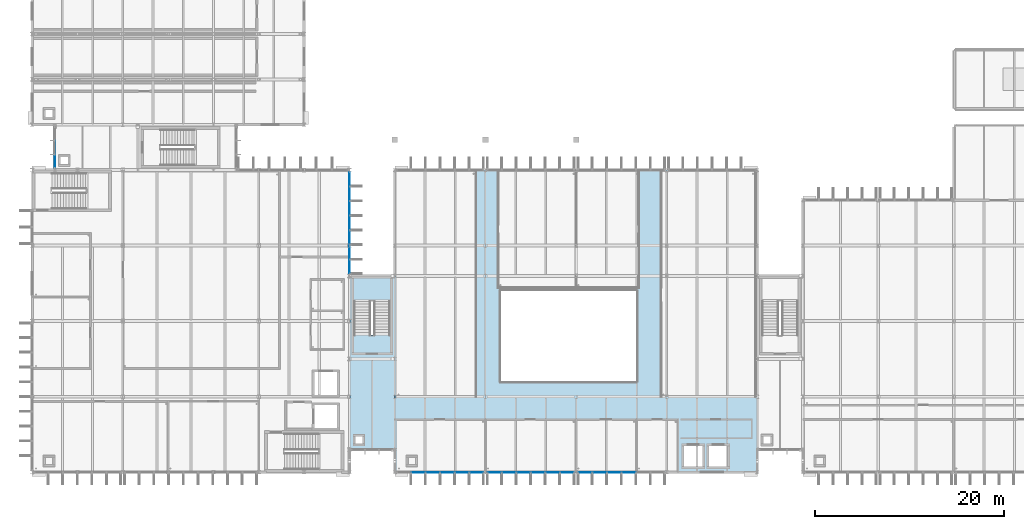
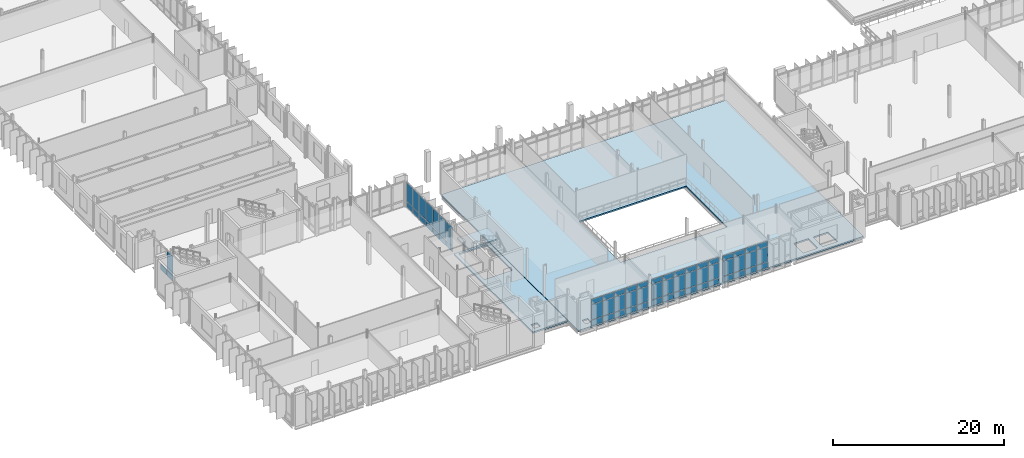
# One storey, part 50 of 110: 62 plates, 3 slabs, 6 elements without a shape of their own.
"""IFC4 building model written with IfcOpenShell, lengths in metres."""

import ifcopenshell
import ifcopenshell.guid

model = None  # the IFC model being written
_history = None  # IfcOwnerHistory: only IFC2X3 demands one
_inside = {}  # id of a spatial element -> (the spatial element, [elements in it])
_under = {}  # id of a project, library or spatial element -> (it, [spatial elements below it])
_declared = {}  # id of a project -> (the project, [libraries it declares])
_typed = {}  # id of a type object -> (the type object, [elements of that type])
_made_of = {}  # id of a material, layer set ... -> (it, [elements and type objects made of it])


def new_model(schema):
    """Start an empty IFC model of exactly this schema.

    Asked for "IFC4X3", IfcOpenShell would pick the latest addendum, in which some entities
    have other attributes; the version numbers below select the first issue.
    IFC2X3 requires an IfcOwnerHistory on every rooted entity: one is made here for all.
    """
    global model, _history
    if schema == "IFC4X3":
        model = ifcopenshell.file(schema_version=(4, 3, 0, 0))
    else:
        model = ifcopenshell.file(schema=schema)
    _inside.clear()
    _under.clear()
    _declared.clear()
    _typed.clear()
    _made_of.clear()
    _history = None
    if model.schema == "IFC2X3":
        org = make("IfcOrganization", Name="unknown")
        user = make(
            "IfcPersonAndOrganization",
            ThePerson=make("IfcPerson", FamilyName="unknown"),
            TheOrganization=org,
        )
        app = make(
            "IfcApplication",
            ApplicationDeveloper=org,
            Version="unknown",
            ApplicationFullName="unknown",
            ApplicationIdentifier="unknown",
        )
        _history = make(
            "IfcOwnerHistory",
            OwningUser=user,
            OwningApplication=app,
            ChangeAction="ADDED",
            CreationDate=0,
        )
    return model


def make(cls, **values):
    """One entity of the class cls with the attributes given. An attribute that is None is left unset."""
    return model.create_entity(
        cls, **{name: value for name, value in values.items() if value is not None}
    )


def rooted(cls, **values):
    """An entity with a GlobalId (a new one), such as an element, a storey or a relation."""
    return make(cls, GlobalId=ifcopenshell.guid.new(), OwnerHistory=_history, **values)


def si_unit(unit_type, name, prefix=None):
    """IfcSIUnit, for example si_unit("LENGTHUNIT", "METRE", prefix="MILLI")."""
    return make("IfcSIUnit", UnitType=unit_type, Prefix=prefix, Name=name)


def assignment(units):
    """IfcUnitAssignment: the units of a project."""
    return None if units is None else make("IfcUnitAssignment", Units=units)


def point(xyz):
    """IfcCartesianPoint."""
    return None if xyz is None else make("IfcCartesianPoint", Coordinates=xyz)


def direction(xyz):
    """IfcDirection."""
    return None if xyz is None else make("IfcDirection", DirectionRatios=xyz)


def frame(location, z_axis=None, x_axis=None):
    """IfcAxis2Placement3D, a coordinate frame: its origin and axes. An axis left out is left unset."""
    return make(
        "IfcAxis2Placement3D",
        Location=point(location),
        Axis=direction(z_axis),
        RefDirection=direction(x_axis),
    )


def frame_2d(location, x_axis=None):
    """IfcAxis2Placement2D, a coordinate frame in the plane: its origin and x axis."""
    return make(
        "IfcAxis2Placement2D", Location=point(location), RefDirection=direction(x_axis)
    )


def origin():
    """The frame at (0, 0, 0) with its axes left unset."""
    return frame((0.0, 0.0, 0.0))


def origin_2d():
    """The frame at (0, 0) in the plane with its x axis left unset."""
    return frame_2d((0.0, 0.0))


def place(relative_to, where):
    """IfcLocalPlacement: puts the frame where relative to a parent placement (None: the world)."""
    return make(
        "IfcLocalPlacement", PlacementRelTo=relative_to, RelativePlacement=where
    )


def context(
    kind, dimensions, precision=None, world=None, true_north=None, identifier=None
):
    """IfcGeometricRepresentationContext, for example the 3D "Model" context."""
    return make(
        "IfcGeometricRepresentationContext",
        ContextIdentifier=identifier,
        ContextType=kind,
        CoordinateSpaceDimension=dimensions,
        Precision=precision,
        WorldCoordinateSystem=world,
        TrueNorth=true_north,
    )


def subcontext(parent, identifier, kind, view, scale=None):
    """IfcGeometricRepresentationSubContext, for example "Body" below "Model"."""
    return make(
        "IfcGeometricRepresentationSubContext",
        ContextIdentifier=identifier,
        ContextType=kind,
        ParentContext=parent,
        TargetScale=scale,
        TargetView=view,
    )


def project(units=None, contexts=None):
    """IfcProject with its units and contexts."""
    return rooted(
        "IfcProject",
        Name="project",
        RepresentationContexts=contexts,
        UnitsInContext=assignment(units),
    )


def spatial(cls, under=None, at=None, **own):
    """A site, building, storey or space (cls), placed at a placement, below another one or the project."""
    s = rooted(cls, ObjectPlacement=at, **own)
    if under is not None:
        _under.setdefault(under.id(), (under, []))[1].append(s)
    return s


def polyline(points):
    """IfcPolyline through the points."""
    return make("IfcPolyline", Points=[point(p) for p in points])


def profile(cls, at=None, kind="AREA", **sizes):
    """A parametric profile (cls). Its sizes go by their IFC names, for example OverallWidth=200.0."""
    return make(cls, ProfileType=kind, Position=at, **sizes)


def rectangle(**sizes):
    """IfcRectangleProfileDef."""
    return profile("IfcRectangleProfileDef", **sizes)


def outline(outer, holes=None, kind="AREA"):
    """IfcArbitraryClosedProfileDef: a profile drawn as a closed curve; with holes, ...WithVoids."""
    if holes is None:
        return make("IfcArbitraryClosedProfileDef", ProfileType=kind, OuterCurve=outer)
    return make(
        "IfcArbitraryProfileDefWithVoids",
        ProfileType=kind,
        OuterCurve=outer,
        InnerCurves=holes,
    )


def extrude(swept, where, along, depth):
    """IfcExtrudedAreaSolid: the profile swept, set in the frame where, extruded along a direction by depth."""
    return make(
        "IfcExtrudedAreaSolid",
        SweptArea=swept,
        Position=where,
        ExtrudedDirection=direction(along),
        Depth=depth,
    )


def shape(context_of_items, identifier, shape_type, items):
    """IfcShapeRepresentation: the items that make up one representation, for example the "Body"."""
    return make(
        "IfcShapeRepresentation",
        ContextOfItems=context_of_items,
        RepresentationIdentifier=identifier,
        RepresentationType=shape_type,
        Items=items,
    )


def material(Name=None, Category=None):
    """IfcMaterial."""
    return make("IfcMaterial", Name=Name, Category=Category)


def layer(
    of_material, thickness, ventilated=None, Name=None, Category=None, Priority=None
):
    """IfcMaterialLayer: one layer of a wall or slab, of a material (None: an air gap)."""
    return make(
        "IfcMaterialLayer",
        Material=of_material,
        LayerThickness=thickness,
        IsVentilated=ventilated,
        Name=Name,
        Category=Category,
        Priority=Priority,
    )


def layer_set(layers, Name=None):
    """IfcMaterialLayerSet."""
    return make("IfcMaterialLayerSet", MaterialLayers=layers, LayerSetName=Name)


def made_of(thing, what):
    """Note that an element or type object is made of a material, layer set ...; save() writes the relation."""
    if what is not None:
        _made_of.setdefault(what.id(), (what, []))[1].append(thing)
    return thing


def type_object(cls, material=None, **own):
    """A type object (cls), such as IfcWallType, which elements share."""
    return made_of(rooted(cls, **own), material)


def element(
    cls,
    number,
    at=None,
    inside=None,
    cuts=None,
    type_object=None,
    material=None,
    context=None,
    identifier="Body",
    shape_type=None,
    held_by="IfcProductDefinitionShape",
    body=None,
    shapes=None,
    **own,
):
    """One element of the class cls, such as IfcWall. Its Tag is "e" and its number.

    at: its placement. inside: the storey or other place that contains it. cuts: it is an
    opening in that element (IfcRelVoidsElement). A single representation is given by context,
    identifier, shape_type and body (its items); several are given by shapes. held_by: the class
    of the entity that holds the representations. save() writes the other relations.
    """
    e = rooted(cls, Tag="e%d" % number, ObjectPlacement=at, **own)
    if body is not None:
        shapes = [shape(context, identifier, shape_type, body)]
    if shapes is not None:
        e.Representation = make(held_by, Representations=shapes)
    if inside is not None:
        _inside.setdefault(inside.id(), (inside, []))[1].append(e)
    if cuts is not None:
        rooted(
            "IfcRelVoidsElement", RelatingBuildingElement=cuts, RelatedOpeningElement=e
        )
    if type_object is not None:
        _typed.setdefault(type_object.id(), (type_object, []))[1].append(e)
    return made_of(e, material)


def aggregate(whole, parts):
    """IfcRelAggregates: a whole, such as a stair, and the parts it consists of."""
    return rooted("IfcRelAggregates", RelatingObject=whole, RelatedObjects=parts)


def save(model, path):
    """Write the relations noted so far, then the file.

    IfcRelAggregates (storeys below a building ...), IfcRelContainedInSpatialStructure (elements
    in a storey), IfcRelDefinesByType, IfcRelAssociatesMaterial and IfcRelDeclares: one each for
    every whole, place, type object, material and project.
    """
    for whole, parts in _under.values():
        aggregate(whole, parts)
    for where, things in _inside.values():
        rooted(
            "IfcRelContainedInSpatialStructure",
            RelatedElements=things,
            RelatingStructure=where,
        )
    for kind, things in _typed.values():
        rooted("IfcRelDefinesByType", RelatedObjects=things, RelatingType=kind)
    for what, things in _made_of.values():
        rooted("IfcRelAssociatesMaterial", RelatedObjects=things, RelatingMaterial=what)
    for by, libraries in _declared.values():
        rooted("IfcRelDeclares", RelatingContext=by, RelatedDefinitions=libraries)
    model.write(path)


model = new_model("IFC4")

# Units and contexts
model_context = context("Model", 3, precision=1e-05, world=origin(), true_north=direction((0.0, 1.0)))
body_context = subcontext(model_context, "Body", "Model", "MODEL_VIEW")
ifc_project = project(units=[si_unit("LENGTHUNIT", "METRE"), si_unit("AREAUNIT", "SQUARE_METRE"), si_unit("VOLUMEUNIT", "CUBIC_METRE"), si_unit("PLANEANGLEUNIT", "RADIAN"), si_unit("MASSUNIT", "GRAM", prefix="KILO")], contexts=[model_context])

# Site, building, storey
site_placement = place(None, origin())
site = spatial("IfcSite", under=ifc_project, at=site_placement, CompositionType="ELEMENT")
building_placement = place(site_placement, origin())
building = spatial("IfcBuilding", under=site, at=building_placement, Name="Dunescarp Central Library", CompositionType="ELEMENT")
storey_placement = place(building_placement, frame((0.0, 0.0, 9.60009765625)))
storey = spatial("IfcBuildingStorey", under=building, at=storey_placement, Name="L02", CompositionType="ELEMENT", Elevation=9.60009765625)

# Curtain wall, plates
ifc_material_1 = material(Name="Marine-grade anodised aluminium 6063-T6", Category="aluminium")
curtain_wall_type_1 = type_object("IfcCurtainWallType", Name="ARC-CW-STICK", PredefinedType="NOTDEFINED", material=ifc_material_1)
curtain_wall_1_placement = place(storey_placement, origin())
curtain_wall_1 = element("IfcCurtainWall", 1, at=curtain_wall_1_placement, inside=storey, type_object=curtain_wall_type_1, Name="L02 curtain wall CW-V1-017", PredefinedType="NOTDEFINED")
ifc_material_2 = material(Name="Solar-control laminated double glazing", Category="glass")
ifc_layer_1 = layer(ifc_material_2, 0.028076171875)
ifc_layer_set_1 = layer_set([ifc_layer_1], Name="Solar-control laminated double glazing")
plate_type_1 = type_object("IfcPlateType", Name="ARC-PLT-GLZ28", PredefinedType="CURTAIN_PANEL", material=ifc_layer_set_1)
plate_1_placement = place(storey_placement, frame((33.60009765625, 35.830078125, 0.93994140625), z_axis=(0.0, 0.0, 1.0), x_axis=(0.0, -1.0, 0.0)))
plate_1 = element("IfcPlate", 2, at=plate_1_placement, type_object=plate_type_1, Name="CW-V1-017 panel 1.2", PredefinedType="CURTAIN_PANEL", context=body_context, shape_type="SweptSolid", body=[
    extrude(rectangle(XDim=1.429931640625, YDim=0.028076171875, at=origin_2d()), origin(), (0.0, 0.0, 1.0), 2.6650390625),
])
plate_2_placement = place(storey_placement, frame((33.60009765625, 34.300048828125, 0.93994140625), z_axis=(0.0, 0.0, 1.0), x_axis=(0.0, -1.0, 0.0)))
plate_2 = element("IfcPlate", 3, at=plate_2_placement, type_object=plate_type_1, Name="CW-V1-017 panel 2.2", PredefinedType="CURTAIN_PANEL", context=body_context, shape_type="SweptSolid", body=[
    extrude(rectangle(XDim=1.469970703125, YDim=0.028076171875, at=origin_2d()), origin(), (0.0, 0.0, 1.0), 2.6650390625),
])
plate_3_placement = place(storey_placement, frame((33.60009765625, 32.75, 0.93994140625), z_axis=(0.0, 0.0, 1.0), x_axis=(0.0, -1.0, 0.0)))
plate_3 = element("IfcPlate", 4, at=plate_3_placement, type_object=plate_type_1, Name="CW-V1-017 panel 3.2", PredefinedType="CURTAIN_PANEL", context=body_context, shape_type="SweptSolid", body=[
    extrude(rectangle(XDim=1.469970703125, YDim=0.028076171875, at=origin_2d()), origin(), (0.0, 0.0, 1.0), 2.6650390625),
])
plate_4_placement = place(storey_placement, frame((33.60009765625, 31.199951171875, 0.93994140625), z_axis=(0.0, 0.0, 1.0), x_axis=(0.0, -1.0, 0.0)))
plate_4 = element("IfcPlate", 5, at=plate_4_placement, type_object=plate_type_1, Name="CW-V1-017 panel 4.2", PredefinedType="CURTAIN_PANEL", context=body_context, shape_type="SweptSolid", body=[
    extrude(rectangle(XDim=1.469970703125, YDim=0.028076171875, at=origin_2d()), origin(), (0.0, 0.0, 1.0), 2.6650390625),
])
plate_5_placement = place(storey_placement, frame((33.60009765625, 29.64990234375, 0.93994140625), z_axis=(0.0, 0.0, 1.0), x_axis=(0.0, -1.0, 0.0)))
plate_5 = element("IfcPlate", 6, at=plate_5_placement, type_object=plate_type_1, Name="CW-V1-017 panel 5.2", PredefinedType="CURTAIN_PANEL", context=body_context, shape_type="SweptSolid", body=[
    extrude(rectangle(XDim=1.469970703125, YDim=0.028076171875, at=origin_2d()), origin(), (0.0, 0.0, 1.0), 2.6650390625),
])
plate_6_placement = place(storey_placement, frame((33.60009765625, 28.10009765625, 0.93994140625), z_axis=(0.0, 0.0, 1.0), x_axis=(0.0, -1.0, 0.0)))
plate_6 = element("IfcPlate", 7, at=plate_6_placement, type_object=plate_type_1, Name="CW-V1-017 panel 6.2", PredefinedType="CURTAIN_PANEL", context=body_context, shape_type="SweptSolid", body=[
    extrude(rectangle(XDim=1.469970703125, YDim=0.028076171875, at=origin_2d()), origin(), (0.0, 0.0, 1.0), 2.6650390625),
])
plate_7_placement = place(storey_placement, frame((33.60009765625, 26.570068359375, 0.93994140625), z_axis=(0.0, 0.0, 1.0), x_axis=(0.0, -1.0, 0.0)))
plate_7 = element("IfcPlate", 8, at=plate_7_placement, type_object=plate_type_1, Name="CW-V1-017 panel 7.2", PredefinedType="CURTAIN_PANEL", context=body_context, shape_type="SweptSolid", body=[
    extrude(rectangle(XDim=1.429931640625, YDim=0.028076171875, at=origin_2d()), origin(), (0.0, 0.0, 1.0), 2.6650390625),
])

curtain_wall_2_placement = place(storey_placement, origin())
curtain_wall_2 = element("IfcCurtainWall", 9, at=curtain_wall_2_placement, inside=storey, type_object=curtain_wall_type_1, Name="L02 curtain wall CW-V2-054", PredefinedType="NOTDEFINED")
plate_8_placement = place(storey_placement, frame((47.0341796875, 4.800048828125, 0.93994140625), z_axis=(0.0, 0.0, 1.0), x_axis=(-1.0, 0.0, 0.0)))
plate_8 = element("IfcPlate", 10, at=plate_8_placement, type_object=plate_type_1, Name="CW-V2-054 panel 1.2", PredefinedType="CURTAIN_PANEL", context=body_context, shape_type="SweptSolid", body=[
    extrude(rectangle(XDim=1.421630859375, YDim=0.028076171875, at=origin_2d()), origin(), (0.0, 0.0, 1.0), 2.1201171875),
])
plate_9_placement = place(storey_placement, frame((47.0341796875, 4.800048828125, 3.139892578125), z_axis=(0.0, 0.0, 1.0), x_axis=(-1.0, 0.0, 0.0)))
plate_9 = element("IfcPlate", 11, at=plate_9_placement, type_object=plate_type_1, Name="CW-V2-054 panel 1.3", PredefinedType="CURTAIN_PANEL", context=body_context, shape_type="SweptSolid", body=[
    extrude(rectangle(XDim=1.421630859375, YDim=0.028076171875, at=origin_2d()), origin(), (0.0, 0.0, 1.0), 0.705078125),
])
plate_10_placement = place(storey_placement, frame((45.512451171875, 4.800048828125, 0.93994140625), z_axis=(0.0, 0.0, 1.0), x_axis=(-1.0, 0.0, 0.0)))
plate_10 = element("IfcPlate", 12, at=plate_10_placement, type_object=plate_type_1, Name="CW-V2-054 panel 2.2", PredefinedType="CURTAIN_PANEL", context=body_context, shape_type="SweptSolid", body=[
    extrude(rectangle(XDim=1.461669921875, YDim=0.028076171875, at=origin_2d()), origin(), (0.0, 0.0, 1.0), 2.1201171875),
])
plate_11_placement = place(storey_placement, frame((45.512451171875, 4.800048828125, 3.139892578125), z_axis=(0.0, 0.0, 1.0), x_axis=(-1.0, 0.0, 0.0)))
plate_11 = element("IfcPlate", 13, at=plate_11_placement, type_object=plate_type_1, Name="CW-V2-054 panel 2.3", PredefinedType="CURTAIN_PANEL", context=body_context, shape_type="SweptSolid", body=[
    extrude(rectangle(XDim=1.461669921875, YDim=0.028076171875, at=origin_2d()), origin(), (0.0, 0.0, 1.0), 0.705078125),
])
plate_12_placement = place(storey_placement, frame((43.970947265625, 4.800048828125, 0.93994140625), z_axis=(0.0, 0.0, 1.0), x_axis=(-1.0, 0.0, 0.0)))
plate_12 = element("IfcPlate", 14, at=plate_12_placement, type_object=plate_type_1, Name="CW-V2-054 panel 3.2", PredefinedType="CURTAIN_PANEL", context=body_context, shape_type="SweptSolid", body=[
    extrude(rectangle(XDim=1.461669921875, YDim=0.028076171875, at=origin_2d()), origin(), (0.0, 0.0, 1.0), 2.1201171875),
])
plate_13_placement = place(storey_placement, frame((43.970947265625, 4.800048828125, 3.139892578125), z_axis=(0.0, 0.0, 1.0), x_axis=(-1.0, 0.0, 0.0)))
plate_13 = element("IfcPlate", 15, at=plate_13_placement, type_object=plate_type_1, Name="CW-V2-054 panel 3.3", PredefinedType="CURTAIN_PANEL", context=body_context, shape_type="SweptSolid", body=[
    extrude(rectangle(XDim=1.461669921875, YDim=0.028076171875, at=origin_2d()), origin(), (0.0, 0.0, 1.0), 0.705078125),
])
plate_14_placement = place(storey_placement, frame((42.42919921875, 4.800048828125, 0.93994140625), z_axis=(0.0, 0.0, 1.0), x_axis=(-1.0, 0.0, 0.0)))
plate_14 = element("IfcPlate", 16, at=plate_14_placement, type_object=plate_type_1, Name="CW-V2-054 panel 4.2", PredefinedType="CURTAIN_PANEL", context=body_context, shape_type="SweptSolid", body=[
    extrude(rectangle(XDim=1.461669921875, YDim=0.028076171875, at=origin_2d()), origin(), (0.0, 0.0, 1.0), 2.1201171875),
])
plate_15_placement = place(storey_placement, frame((42.42919921875, 4.800048828125, 3.139892578125), z_axis=(0.0, 0.0, 1.0), x_axis=(-1.0, 0.0, 0.0)))
plate_15 = element("IfcPlate", 17, at=plate_15_placement, type_object=plate_type_1, Name="CW-V2-054 panel 4.3", PredefinedType="CURTAIN_PANEL", context=body_context, shape_type="SweptSolid", body=[
    extrude(rectangle(XDim=1.461669921875, YDim=0.028076171875, at=origin_2d()), origin(), (0.0, 0.0, 1.0), 0.705078125),
])
plate_16_placement = place(storey_placement, frame((40.887451171875, 4.800048828125, 0.93994140625), z_axis=(0.0, 0.0, 1.0), x_axis=(-1.0, 0.0, 0.0)))
plate_16 = element("IfcPlate", 18, at=plate_16_placement, type_object=plate_type_1, Name="CW-V2-054 panel 5.2", PredefinedType="CURTAIN_PANEL", context=body_context, shape_type="SweptSolid", body=[
    extrude(rectangle(XDim=1.461669921875, YDim=0.028076171875, at=origin_2d()), origin(), (0.0, 0.0, 1.0), 2.1201171875),
])
plate_17_placement = place(storey_placement, frame((40.887451171875, 4.800048828125, 3.139892578125), z_axis=(0.0, 0.0, 1.0), x_axis=(-1.0, 0.0, 0.0)))
plate_17 = element("IfcPlate", 19, at=plate_17_placement, type_object=plate_type_1, Name="CW-V2-054 panel 5.3", PredefinedType="CURTAIN_PANEL", context=body_context, shape_type="SweptSolid", body=[
    extrude(rectangle(XDim=1.461669921875, YDim=0.028076171875, at=origin_2d()), origin(), (0.0, 0.0, 1.0), 0.705078125),
])

curtain_wall_3_placement = place(storey_placement, origin())
curtain_wall_3 = element("IfcCurtainWall", 20, at=curtain_wall_3_placement, inside=storey, type_object=curtain_wall_type_1, Name="L02 curtain wall CW-V2-055", PredefinedType="NOTDEFINED")
plate_18_placement = place(storey_placement, frame((56.63427734375, 4.800048828125, 0.93994140625), z_axis=(0.0, 0.0, 1.0), x_axis=(-1.0, 0.0, 0.0)))
plate_18 = element("IfcPlate", 21, at=plate_18_placement, type_object=plate_type_1, Name="CW-V2-055 panel 1.2", PredefinedType="CURTAIN_PANEL", context=body_context, shape_type="SweptSolid", body=[
    extrude(rectangle(XDim=1.421630859375, YDim=0.028076171875, at=origin_2d()), origin(), (0.0, 0.0, 1.0), 2.1201171875),
])
plate_19_placement = place(storey_placement, frame((56.63427734375, 4.800048828125, 3.139892578125), z_axis=(0.0, 0.0, 1.0), x_axis=(-1.0, 0.0, 0.0)))
plate_19 = element("IfcPlate", 22, at=plate_19_placement, type_object=plate_type_1, Name="CW-V2-055 panel 1.3", PredefinedType="CURTAIN_PANEL", context=body_context, shape_type="SweptSolid", body=[
    extrude(rectangle(XDim=1.421630859375, YDim=0.028076171875, at=origin_2d()), origin(), (0.0, 0.0, 1.0), 0.705078125),
])
plate_20_placement = place(storey_placement, frame((55.112548828125, 4.800048828125, 0.93994140625), z_axis=(0.0, 0.0, 1.0), x_axis=(-1.0, 0.0, 0.0)))
plate_20 = element("IfcPlate", 23, at=plate_20_placement, type_object=plate_type_1, Name="CW-V2-055 panel 2.2", PredefinedType="CURTAIN_PANEL", context=body_context, shape_type="SweptSolid", body=[
    extrude(rectangle(XDim=1.461669921875, YDim=0.028076171875, at=origin_2d()), origin(), (0.0, 0.0, 1.0), 2.1201171875),
])
plate_21_placement = place(storey_placement, frame((55.112548828125, 4.800048828125, 3.139892578125), z_axis=(0.0, 0.0, 1.0), x_axis=(-1.0, 0.0, 0.0)))
plate_21 = element("IfcPlate", 24, at=plate_21_placement, type_object=plate_type_1, Name="CW-V2-055 panel 2.3", PredefinedType="CURTAIN_PANEL", context=body_context, shape_type="SweptSolid", body=[
    extrude(rectangle(XDim=1.461669921875, YDim=0.028076171875, at=origin_2d()), origin(), (0.0, 0.0, 1.0), 0.705078125),
])
plate_22_placement = place(storey_placement, frame((53.57080078125, 4.800048828125, 0.93994140625), z_axis=(0.0, 0.0, 1.0), x_axis=(-1.0, 0.0, 0.0)))
plate_22 = element("IfcPlate", 25, at=plate_22_placement, type_object=plate_type_1, Name="CW-V2-055 panel 3.2", PredefinedType="CURTAIN_PANEL", context=body_context, shape_type="SweptSolid", body=[
    extrude(rectangle(XDim=1.461669921875, YDim=0.028076171875, at=origin_2d()), origin(), (0.0, 0.0, 1.0), 2.1201171875),
])
plate_23_placement = place(storey_placement, frame((53.57080078125, 4.800048828125, 3.139892578125), z_axis=(0.0, 0.0, 1.0), x_axis=(-1.0, 0.0, 0.0)))
plate_23 = element("IfcPlate", 26, at=plate_23_placement, type_object=plate_type_1, Name="CW-V2-055 panel 3.3", PredefinedType="CURTAIN_PANEL", context=body_context, shape_type="SweptSolid", body=[
    extrude(rectangle(XDim=1.461669921875, YDim=0.028076171875, at=origin_2d()), origin(), (0.0, 0.0, 1.0), 0.705078125),
])
plate_24_placement = place(storey_placement, frame((52.029052734375, 4.800048828125, 0.93994140625), z_axis=(0.0, 0.0, 1.0), x_axis=(-1.0, 0.0, 0.0)))
plate_24 = element("IfcPlate", 27, at=plate_24_placement, type_object=plate_type_1, Name="CW-V2-055 panel 4.2", PredefinedType="CURTAIN_PANEL", context=body_context, shape_type="SweptSolid", body=[
    extrude(rectangle(XDim=1.461669921875, YDim=0.028076171875, at=origin_2d()), origin(), (0.0, 0.0, 1.0), 2.1201171875),
])
plate_25_placement = place(storey_placement, frame((52.029052734375, 4.800048828125, 3.139892578125), z_axis=(0.0, 0.0, 1.0), x_axis=(-1.0, 0.0, 0.0)))
plate_25 = element("IfcPlate", 28, at=plate_25_placement, type_object=plate_type_1, Name="CW-V2-055 panel 4.3", PredefinedType="CURTAIN_PANEL", context=body_context, shape_type="SweptSolid", body=[
    extrude(rectangle(XDim=1.461669921875, YDim=0.028076171875, at=origin_2d()), origin(), (0.0, 0.0, 1.0), 0.705078125),
])
plate_26_placement = place(storey_placement, frame((50.487548828125, 4.800048828125, 0.93994140625), z_axis=(0.0, 0.0, 1.0), x_axis=(-1.0, 0.0, 0.0)))
plate_26 = element("IfcPlate", 29, at=plate_26_placement, type_object=plate_type_1, Name="CW-V2-055 panel 5.2", PredefinedType="CURTAIN_PANEL", context=body_context, shape_type="SweptSolid", body=[
    extrude(rectangle(XDim=1.461669921875, YDim=0.028076171875, at=origin_2d()), origin(), (0.0, 0.0, 1.0), 2.1201171875),
])
plate_27_placement = place(storey_placement, frame((50.487548828125, 4.800048828125, 3.139892578125), z_axis=(0.0, 0.0, 1.0), x_axis=(-1.0, 0.0, 0.0)))
plate_27 = element("IfcPlate", 30, at=plate_27_placement, type_object=plate_type_1, Name="CW-V2-055 panel 5.3", PredefinedType="CURTAIN_PANEL", context=body_context, shape_type="SweptSolid", body=[
    extrude(rectangle(XDim=1.461669921875, YDim=0.028076171875, at=origin_2d()), origin(), (0.0, 0.0, 1.0), 0.705078125),
])
plate_28_placement = place(storey_placement, frame((48.9658203125, 4.800048828125, 0.93994140625), z_axis=(0.0, 0.0, 1.0), x_axis=(-1.0, 0.0, 0.0)))
plate_28 = element("IfcPlate", 31, at=plate_28_placement, type_object=plate_type_1, Name="CW-V2-055 panel 6.2", PredefinedType="CURTAIN_PANEL", context=body_context, shape_type="SweptSolid", body=[
    extrude(rectangle(XDim=1.421630859375, YDim=0.028076171875, at=origin_2d()), origin(), (0.0, 0.0, 1.0), 2.1201171875),
])
plate_29_placement = place(storey_placement, frame((48.9658203125, 4.800048828125, 3.139892578125), z_axis=(0.0, 0.0, 1.0), x_axis=(-1.0, 0.0, 0.0)))
plate_29 = element("IfcPlate", 32, at=plate_29_placement, type_object=plate_type_1, Name="CW-V2-055 panel 6.3", PredefinedType="CURTAIN_PANEL", context=body_context, shape_type="SweptSolid", body=[
    extrude(rectangle(XDim=1.421630859375, YDim=0.028076171875, at=origin_2d()), origin(), (0.0, 0.0, 1.0), 0.705078125),
])

curtain_wall_4_placement = place(storey_placement, origin())
curtain_wall_4 = element("IfcCurtainWall", 33, at=curtain_wall_4_placement, inside=storey, type_object=curtain_wall_type_1, Name="L02 curtain wall CW-V2-056", PredefinedType="NOTDEFINED")
plate_30_placement = place(storey_placement, frame((63.1708984375, 4.800048828125, 0.93994140625), z_axis=(0.0, 0.0, 1.0), x_axis=(-1.0, 0.0, 0.0)))
plate_30 = element("IfcPlate", 34, at=plate_30_placement, type_object=plate_type_1, Name="CW-V2-056 panel 3.2", PredefinedType="CURTAIN_PANEL", context=body_context, shape_type="SweptSolid", body=[
    extrude(rectangle(XDim=1.461669921875, YDim=0.028076171875, at=origin_2d()), origin(), (0.0, 0.0, 1.0), 2.1201171875),
])
plate_31_placement = place(storey_placement, frame((63.1708984375, 4.800048828125, 3.139892578125), z_axis=(0.0, 0.0, 1.0), x_axis=(-1.0, 0.0, 0.0)))
plate_31 = element("IfcPlate", 35, at=plate_31_placement, type_object=plate_type_1, Name="CW-V2-056 panel 3.3", PredefinedType="CURTAIN_PANEL", context=body_context, shape_type="SweptSolid", body=[
    extrude(rectangle(XDim=1.461669921875, YDim=0.028076171875, at=origin_2d()), origin(), (0.0, 0.0, 1.0), 0.705078125),
])
plate_32_placement = place(storey_placement, frame((61.629150390625, 4.800048828125, 0.93994140625), z_axis=(0.0, 0.0, 1.0), x_axis=(-1.0, 0.0, 0.0)))
plate_32 = element("IfcPlate", 36, at=plate_32_placement, type_object=plate_type_1, Name="CW-V2-056 panel 4.2", PredefinedType="CURTAIN_PANEL", context=body_context, shape_type="SweptSolid", body=[
    extrude(rectangle(XDim=1.461669921875, YDim=0.028076171875, at=origin_2d()), origin(), (0.0, 0.0, 1.0), 2.1201171875),
])
plate_33_placement = place(storey_placement, frame((61.629150390625, 4.800048828125, 3.139892578125), z_axis=(0.0, 0.0, 1.0), x_axis=(-1.0, 0.0, 0.0)))
plate_33 = element("IfcPlate", 37, at=plate_33_placement, type_object=plate_type_1, Name="CW-V2-056 panel 4.3", PredefinedType="CURTAIN_PANEL", context=body_context, shape_type="SweptSolid", body=[
    extrude(rectangle(XDim=1.461669921875, YDim=0.028076171875, at=origin_2d()), origin(), (0.0, 0.0, 1.0), 0.705078125),
])
plate_34_placement = place(storey_placement, frame((60.08740234375, 4.800048828125, 0.93994140625), z_axis=(0.0, 0.0, 1.0), x_axis=(-1.0, 0.0, 0.0)))
plate_34 = element("IfcPlate", 38, at=plate_34_placement, type_object=plate_type_1, Name="CW-V2-056 panel 5.2", PredefinedType="CURTAIN_PANEL", context=body_context, shape_type="SweptSolid", body=[
    extrude(rectangle(XDim=1.461669921875, YDim=0.028076171875, at=origin_2d()), origin(), (0.0, 0.0, 1.0), 2.1201171875),
])
plate_35_placement = place(storey_placement, frame((60.08740234375, 4.800048828125, 3.139892578125), z_axis=(0.0, 0.0, 1.0), x_axis=(-1.0, 0.0, 0.0)))
plate_35 = element("IfcPlate", 39, at=plate_35_placement, type_object=plate_type_1, Name="CW-V2-056 panel 5.3", PredefinedType="CURTAIN_PANEL", context=body_context, shape_type="SweptSolid", body=[
    extrude(rectangle(XDim=1.461669921875, YDim=0.028076171875, at=origin_2d()), origin(), (0.0, 0.0, 1.0), 0.705078125),
])
plate_36_placement = place(storey_placement, frame((58.56591796875, 4.800048828125, 0.93994140625), z_axis=(0.0, 0.0, 1.0), x_axis=(-1.0, 0.0, 0.0)))
plate_36 = element("IfcPlate", 40, at=plate_36_placement, type_object=plate_type_1, Name="CW-V2-056 panel 6.2", PredefinedType="CURTAIN_PANEL", context=body_context, shape_type="SweptSolid", body=[
    extrude(rectangle(XDim=1.421630859375, YDim=0.028076171875, at=origin_2d()), origin(), (0.0, 0.0, 1.0), 2.1201171875),
])
plate_37_placement = place(storey_placement, frame((58.56591796875, 4.800048828125, 3.139892578125), z_axis=(0.0, 0.0, 1.0), x_axis=(-1.0, 0.0, 0.0)))
plate_37 = element("IfcPlate", 41, at=plate_37_placement, type_object=plate_type_1, Name="CW-V2-056 panel 6.3", PredefinedType="CURTAIN_PANEL", context=body_context, shape_type="SweptSolid", body=[
    extrude(rectangle(XDim=1.421630859375, YDim=0.028076171875, at=origin_2d()), origin(), (0.0, 0.0, 1.0), 0.705078125),
])

# Curtain wall, plate
curtain_wall_type_2 = type_object("IfcCurtainWallType", Name="ARC-CW-LINK", PredefinedType="USERDEFINED", material=ifc_material_1)
curtain_wall_5_placement = place(storey_placement, origin())
curtain_wall_5 = element("IfcCurtainWall", 42, at=curtain_wall_5_placement, inside=storey, type_object=curtain_wall_type_2, Name="L02 curtain wall CW-GL4-W-L02", ObjectType="GLAZED_LINK_WALL", PredefinedType="USERDEFINED")
plate_38_placement = place(storey_placement, frame((2.39990234375, 37.736572265625, 0.93994140625), z_axis=(0.0, 0.0, 1.0), x_axis=(0.0, 1.0, 0.0)))
plate_38 = element("IfcPlate", 43, at=plate_38_placement, type_object=plate_type_1, Name="CW-GL4-W-L02 panel 1.2", PredefinedType="CURTAIN_PANEL", context=body_context, shape_type="SweptSolid", body=[
    extrude(rectangle(XDim=1.36328125, YDim=0.028076171875, at=origin_2d()), origin(), (0.0, 0.0, 1.0), 2.6650390625),
])

# Plate
ifc_layer_2 = layer(ifc_material_1, 0.050048828125)
ifc_layer_set_2 = layer_set([ifc_layer_2], Name="Marine-grade anodised aluminium 6063-T6")
plate_type_2 = type_object("IfcPlateType", Name="ARC-PLT-SPN50", PredefinedType="SHEET", material=ifc_layer_set_2)
plate_39_placement = place(storey_placement, frame((33.60009765625, 35.830078125, 0.080078125), z_axis=(0.0, 0.0, 1.0), x_axis=(0.0, -1.0, 0.0)))
plate_39 = element("IfcPlate", 44, at=plate_39_placement, type_object=plate_type_2, Name="CW-V1-017 panel 1.1", PredefinedType="SHEET", context=body_context, shape_type="SweptSolid", body=[
    extrude(rectangle(XDim=1.429931640625, YDim=0.050048828125, at=origin_2d()), origin(), (0.0, 0.0, 1.0), 0.780029296875),
])

plate_40_placement = place(storey_placement, frame((33.60009765625, 34.300048828125, 0.080078125), z_axis=(0.0, 0.0, 1.0), x_axis=(0.0, -1.0, 0.0)))
plate_40 = element("IfcPlate", 45, at=plate_40_placement, type_object=plate_type_2, Name="CW-V1-017 panel 2.1", PredefinedType="SHEET", context=body_context, shape_type="SweptSolid", body=[
    extrude(rectangle(XDim=1.469970703125, YDim=0.050048828125, at=origin_2d()), origin(), (0.0, 0.0, 1.0), 0.780029296875),
])

plate_41_placement = place(storey_placement, frame((33.60009765625, 32.75, 0.080078125), z_axis=(0.0, 0.0, 1.0), x_axis=(0.0, -1.0, 0.0)))
plate_41 = element("IfcPlate", 46, at=plate_41_placement, type_object=plate_type_2, Name="CW-V1-017 panel 3.1", PredefinedType="SHEET", context=body_context, shape_type="SweptSolid", body=[
    extrude(rectangle(XDim=1.469970703125, YDim=0.050048828125, at=origin_2d()), origin(), (0.0, 0.0, 1.0), 0.780029296875),
])

plate_42_placement = place(storey_placement, frame((33.60009765625, 31.199951171875, 0.080078125), z_axis=(0.0, 0.0, 1.0), x_axis=(0.0, -1.0, 0.0)))
plate_42 = element("IfcPlate", 47, at=plate_42_placement, type_object=plate_type_2, Name="CW-V1-017 panel 4.1", PredefinedType="SHEET", context=body_context, shape_type="SweptSolid", body=[
    extrude(rectangle(XDim=1.469970703125, YDim=0.050048828125, at=origin_2d()), origin(), (0.0, 0.0, 1.0), 0.780029296875),
])

plate_43_placement = place(storey_placement, frame((33.60009765625, 29.64990234375, 0.080078125), z_axis=(0.0, 0.0, 1.0), x_axis=(0.0, -1.0, 0.0)))
plate_43 = element("IfcPlate", 48, at=plate_43_placement, type_object=plate_type_2, Name="CW-V1-017 panel 5.1", PredefinedType="SHEET", context=body_context, shape_type="SweptSolid", body=[
    extrude(rectangle(XDim=1.469970703125, YDim=0.050048828125, at=origin_2d()), origin(), (0.0, 0.0, 1.0), 0.780029296875),
])

plate_44_placement = place(storey_placement, frame((33.60009765625, 28.10009765625, 0.080078125), z_axis=(0.0, 0.0, 1.0), x_axis=(0.0, -1.0, 0.0)))
plate_44 = element("IfcPlate", 49, at=plate_44_placement, type_object=plate_type_2, Name="CW-V1-017 panel 6.1", PredefinedType="SHEET", context=body_context, shape_type="SweptSolid", body=[
    extrude(rectangle(XDim=1.469970703125, YDim=0.050048828125, at=origin_2d()), origin(), (0.0, 0.0, 1.0), 0.780029296875),
])

plate_45_placement = place(storey_placement, frame((33.60009765625, 26.570068359375, 0.080078125), z_axis=(0.0, 0.0, 1.0), x_axis=(0.0, -1.0, 0.0)))
plate_45 = element("IfcPlate", 50, at=plate_45_placement, type_object=plate_type_2, Name="CW-V1-017 panel 7.1", PredefinedType="SHEET", context=body_context, shape_type="SweptSolid", body=[
    extrude(rectangle(XDim=1.429931640625, YDim=0.050048828125, at=origin_2d()), origin(), (0.0, 0.0, 1.0), 0.780029296875),
])

aggregate(curtain_wall_1, [plate_39, plate_1, plate_40, plate_2, plate_41, plate_3, plate_42, plate_4, plate_43, plate_5, plate_44, plate_6, plate_45, plate_7])

plate_46_placement = place(storey_placement, frame((47.0341796875, 4.800048828125, 0.080078125), z_axis=(0.0, 0.0, 1.0), x_axis=(-1.0, 0.0, 0.0)))
plate_46 = element("IfcPlate", 51, at=plate_46_placement, type_object=plate_type_2, Name="CW-V2-054 panel 1.1", PredefinedType="SHEET", context=body_context, shape_type="SweptSolid", body=[
    extrude(rectangle(XDim=1.421630859375, YDim=0.050048828125, at=origin_2d()), origin(), (0.0, 0.0, 1.0), 0.780029296875),
])

plate_47_placement = place(storey_placement, frame((45.512451171875, 4.800048828125, 0.080078125), z_axis=(0.0, 0.0, 1.0), x_axis=(-1.0, 0.0, 0.0)))
plate_47 = element("IfcPlate", 52, at=plate_47_placement, type_object=plate_type_2, Name="CW-V2-054 panel 2.1", PredefinedType="SHEET", context=body_context, shape_type="SweptSolid", body=[
    extrude(rectangle(XDim=1.461669921875, YDim=0.050048828125, at=origin_2d()), origin(), (0.0, 0.0, 1.0), 0.780029296875),
])

plate_48_placement = place(storey_placement, frame((43.970947265625, 4.800048828125, 0.080078125), z_axis=(0.0, 0.0, 1.0), x_axis=(-1.0, 0.0, 0.0)))
plate_48 = element("IfcPlate", 53, at=plate_48_placement, type_object=plate_type_2, Name="CW-V2-054 panel 3.1", PredefinedType="SHEET", context=body_context, shape_type="SweptSolid", body=[
    extrude(rectangle(XDim=1.461669921875, YDim=0.050048828125, at=origin_2d()), origin(), (0.0, 0.0, 1.0), 0.780029296875),
])

plate_49_placement = place(storey_placement, frame((42.42919921875, 4.800048828125, 0.080078125), z_axis=(0.0, 0.0, 1.0), x_axis=(-1.0, 0.0, 0.0)))
plate_49 = element("IfcPlate", 54, at=plate_49_placement, type_object=plate_type_2, Name="CW-V2-054 panel 4.1", PredefinedType="SHEET", context=body_context, shape_type="SweptSolid", body=[
    extrude(rectangle(XDim=1.461669921875, YDim=0.050048828125, at=origin_2d()), origin(), (0.0, 0.0, 1.0), 0.780029296875),
])

plate_50_placement = place(storey_placement, frame((40.887451171875, 4.800048828125, 0.080078125), z_axis=(0.0, 0.0, 1.0), x_axis=(-1.0, 0.0, 0.0)))
plate_50 = element("IfcPlate", 55, at=plate_50_placement, type_object=plate_type_2, Name="CW-V2-054 panel 5.1", PredefinedType="SHEET", context=body_context, shape_type="SweptSolid", body=[
    extrude(rectangle(XDim=1.461669921875, YDim=0.050048828125, at=origin_2d()), origin(), (0.0, 0.0, 1.0), 0.780029296875),
])

aggregate(curtain_wall_2, [plate_46, plate_8, plate_9, plate_47, plate_10, plate_11, plate_48, plate_12, plate_13, plate_49, plate_14, plate_15, plate_50, plate_16, plate_17])

plate_51_placement = place(storey_placement, frame((56.63427734375, 4.800048828125, 0.080078125), z_axis=(0.0, 0.0, 1.0), x_axis=(-1.0, 0.0, 0.0)))
plate_51 = element("IfcPlate", 56, at=plate_51_placement, type_object=plate_type_2, Name="CW-V2-055 panel 1.1", PredefinedType="SHEET", context=body_context, shape_type="SweptSolid", body=[
    extrude(rectangle(XDim=1.421630859375, YDim=0.050048828125, at=origin_2d()), origin(), (0.0, 0.0, 1.0), 0.780029296875),
])

plate_52_placement = place(storey_placement, frame((55.112548828125, 4.800048828125, 0.080078125), z_axis=(0.0, 0.0, 1.0), x_axis=(-1.0, 0.0, 0.0)))
plate_52 = element("IfcPlate", 57, at=plate_52_placement, type_object=plate_type_2, Name="CW-V2-055 panel 2.1", PredefinedType="SHEET", context=body_context, shape_type="SweptSolid", body=[
    extrude(rectangle(XDim=1.461669921875, YDim=0.050048828125, at=origin_2d()), origin(), (0.0, 0.0, 1.0), 0.780029296875),
])

plate_53_placement = place(storey_placement, frame((53.57080078125, 4.800048828125, 0.080078125), z_axis=(0.0, 0.0, 1.0), x_axis=(-1.0, 0.0, 0.0)))
plate_53 = element("IfcPlate", 58, at=plate_53_placement, type_object=plate_type_2, Name="CW-V2-055 panel 3.1", PredefinedType="SHEET", context=body_context, shape_type="SweptSolid", body=[
    extrude(rectangle(XDim=1.461669921875, YDim=0.050048828125, at=origin_2d()), origin(), (0.0, 0.0, 1.0), 0.780029296875),
])

plate_54_placement = place(storey_placement, frame((52.029052734375, 4.800048828125, 0.080078125), z_axis=(0.0, 0.0, 1.0), x_axis=(-1.0, 0.0, 0.0)))
plate_54 = element("IfcPlate", 59, at=plate_54_placement, type_object=plate_type_2, Name="CW-V2-055 panel 4.1", PredefinedType="SHEET", context=body_context, shape_type="SweptSolid", body=[
    extrude(rectangle(XDim=1.461669921875, YDim=0.050048828125, at=origin_2d()), origin(), (0.0, 0.0, 1.0), 0.780029296875),
])

plate_55_placement = place(storey_placement, frame((50.487548828125, 4.800048828125, 0.080078125), z_axis=(0.0, 0.0, 1.0), x_axis=(-1.0, 0.0, 0.0)))
plate_55 = element("IfcPlate", 60, at=plate_55_placement, type_object=plate_type_2, Name="CW-V2-055 panel 5.1", PredefinedType="SHEET", context=body_context, shape_type="SweptSolid", body=[
    extrude(rectangle(XDim=1.461669921875, YDim=0.050048828125, at=origin_2d()), origin(), (0.0, 0.0, 1.0), 0.780029296875),
])

plate_56_placement = place(storey_placement, frame((48.9658203125, 4.800048828125, 0.080078125), z_axis=(0.0, 0.0, 1.0), x_axis=(-1.0, 0.0, 0.0)))
plate_56 = element("IfcPlate", 61, at=plate_56_placement, type_object=plate_type_2, Name="CW-V2-055 panel 6.1", PredefinedType="SHEET", context=body_context, shape_type="SweptSolid", body=[
    extrude(rectangle(XDim=1.421630859375, YDim=0.050048828125, at=origin_2d()), origin(), (0.0, 0.0, 1.0), 0.780029296875),
])

aggregate(curtain_wall_3, [plate_51, plate_18, plate_19, plate_52, plate_20, plate_21, plate_53, plate_22, plate_23, plate_54, plate_24, plate_25, plate_55, plate_26, plate_27, plate_56, plate_28, plate_29])

plate_57_placement = place(storey_placement, frame((63.1708984375, 4.800048828125, 0.080078125), z_axis=(0.0, 0.0, 1.0), x_axis=(-1.0, 0.0, 0.0)))
plate_57 = element("IfcPlate", 62, at=plate_57_placement, type_object=plate_type_2, Name="CW-V2-056 panel 3.1", PredefinedType="SHEET", context=body_context, shape_type="SweptSolid", body=[
    extrude(rectangle(XDim=1.461669921875, YDim=0.050048828125, at=origin_2d()), origin(), (0.0, 0.0, 1.0), 0.780029296875),
])

plate_58_placement = place(storey_placement, frame((61.629150390625, 4.800048828125, 0.080078125), z_axis=(0.0, 0.0, 1.0), x_axis=(-1.0, 0.0, 0.0)))
plate_58 = element("IfcPlate", 63, at=plate_58_placement, type_object=plate_type_2, Name="CW-V2-056 panel 4.1", PredefinedType="SHEET", context=body_context, shape_type="SweptSolid", body=[
    extrude(rectangle(XDim=1.461669921875, YDim=0.050048828125, at=origin_2d()), origin(), (0.0, 0.0, 1.0), 0.780029296875),
])

plate_59_placement = place(storey_placement, frame((60.08740234375, 4.800048828125, 0.080078125), z_axis=(0.0, 0.0, 1.0), x_axis=(-1.0, 0.0, 0.0)))
plate_59 = element("IfcPlate", 64, at=plate_59_placement, type_object=plate_type_2, Name="CW-V2-056 panel 5.1", PredefinedType="SHEET", context=body_context, shape_type="SweptSolid", body=[
    extrude(rectangle(XDim=1.461669921875, YDim=0.050048828125, at=origin_2d()), origin(), (0.0, 0.0, 1.0), 0.780029296875),
])

plate_60_placement = place(storey_placement, frame((58.56591796875, 4.800048828125, 0.080078125), z_axis=(0.0, 0.0, 1.0), x_axis=(-1.0, 0.0, 0.0)))
plate_60 = element("IfcPlate", 65, at=plate_60_placement, type_object=plate_type_2, Name="CW-V2-056 panel 6.1", PredefinedType="SHEET", context=body_context, shape_type="SweptSolid", body=[
    extrude(rectangle(XDim=1.421630859375, YDim=0.050048828125, at=origin_2d()), origin(), (0.0, 0.0, 1.0), 0.780029296875),
])

aggregate(curtain_wall_4, [plate_57, plate_30, plate_31, plate_58, plate_32, plate_33, plate_59, plate_34, plate_35, plate_60, plate_36, plate_37])

plate_61_placement = place(storey_placement, frame((2.39990234375, 37.736572265625, 0.080078125), z_axis=(0.0, 0.0, 1.0), x_axis=(0.0, 1.0, 0.0)))
plate_61 = element("IfcPlate", 66, at=plate_61_placement, type_object=plate_type_2, Name="CW-GL4-W-L02 panel 1.1", PredefinedType="SHEET", context=body_context, shape_type="SweptSolid", body=[
    extrude(rectangle(XDim=1.36328125, YDim=0.050048828125, at=origin_2d()), origin(), (0.0, 0.0, 1.0), 0.780029296875),
])

plate_62_placement = place(storey_placement, frame((2.39990234375, 39.199951171875, 0.080078125), z_axis=(0.0, 0.0, 1.0), x_axis=(0.0, 1.0, 0.0)))
plate_62 = element("IfcPlate", 67, at=plate_62_placement, type_object=plate_type_2, Name="CW-GL4-W-L02 panel 2.1", PredefinedType="SHEET", context=body_context, shape_type="SweptSolid", body=[
    extrude(rectangle(XDim=1.4033203125, YDim=0.050048828125, at=origin_2d()), origin(), (0.0, 0.0, 1.0), 0.780029296875),
])

aggregate(curtain_wall_5, [plate_61, plate_38, plate_62])

# Stair, slab
ifc_material_3 = material(Name="Concrete C35/45", Category="concrete")
stair_type = type_object("IfcStairType", Name="ARC-STR-TYP", PredefinedType="HALF_TURN_STAIR", material=ifc_material_3)
stair_placement = place(storey_placement, origin())
stair = element("IfcStair", 68, at=stair_placement, inside=storey, type_object=stair_type, Name="L02 Protected escape stair ST-2", PredefinedType="HALF_TURN_STAIR")
ifc_layer_3 = layer(ifc_material_3, 0.199951171875)
ifc_layer_set_3 = layer_set([ifc_layer_3], Name="Concrete C35/45")
slab_type_1 = type_object("IfcSlabType", Name="STR-SLB-LAND200", PredefinedType="LANDING", material=ifc_layer_set_3)
slab_1_placement = place(storey_placement, frame((0.0, 0.0, 2.0498046875)))
slab_1 = element("IfcSlab", 69, at=slab_1_placement, type_object=slab_type_1, Name="ST-2 landing 1", PredefinedType="LANDING", context=body_context, shape_type="SweptSolid", body=[
    extrude(outline(polyline([(33.949951171875, 22.885009765625), (38.050048828125, 22.885009765625), (38.050048828125, 25.449951171875), (33.949951171875, 25.449951171875), (33.949951171875, 22.885009765625)])), origin(), (0.0, 0.0, 1.0), 0.2001953125),
])
aggregate(stair, [slab_1])

# Slabs
ifc_layer_4 = layer(ifc_material_3, 0.2099609375)
ifc_layer_set_4 = layer_set([ifc_layer_4], Name="Concrete C35/45")
slab_type_2 = type_object("IfcSlabType", Name="STR-SLB-READ210", PredefinedType="FLOOR", material=ifc_layer_set_4)
slab_2_placement = place(storey_placement, frame((0.0, 0.0, -0.210205078125)))
element("IfcSlab", 70, at=slab_2_placement, inside=storey, type_object=slab_type_2, Name="L02 V2 slab", PredefinedType="FLOOR", context=body_context, shape_type="SweptSolid", body=[
    extrude(outline(polyline([(38.39990234375, 4.800048828125), (76.800048828125, 4.800048828125), (76.800048828125, 36.800048828125), (38.39990234375, 36.800048828125), (38.39990234375, 4.800048828125)]), holes=[polyline([(69.0, 5.39990234375), (71.0, 5.39990234375), (71.0, 7.60009765625), (69.0, 7.60009765625), (69.0, 5.39990234375)]), polyline([(71.64990234375, 5.39990234375), (73.64990234375, 5.39990234375), (73.64990234375, 7.60009765625), (71.64990234375, 7.60009765625), (71.64990234375, 5.39990234375)]), polyline([(49.60009765625, 14.39990234375), (64.0, 14.39990234375), (64.0, 24.0), (49.60009765625, 24.0), (49.60009765625, 14.39990234375)]), polyline([(39.800048828125, 5.60009765625), (40.60009765625, 5.60009765625), (40.60009765625, 6.39990234375), (39.800048828125, 6.39990234375), (39.800048828125, 5.60009765625)])]), origin(), (0.0, 0.0, 1.0), 0.210205078125),
])
slab_3_placement = place(storey_placement, frame((0.0, 0.0, -0.210205078125)))
element("IfcSlab", 71, at=slab_3_placement, inside=storey, type_object=slab_type_2, Name="L02 GL1 slab", PredefinedType="FLOOR", context=body_context, shape_type="SweptSolid", body=[
    extrude(outline(polyline([(33.64990234375, 7.199951171875), (38.35009765625, 7.199951171875), (38.35009765625, 25.60009765625), (33.64990234375, 25.60009765625), (33.64990234375, 7.199951171875)]), holes=[polyline([(34.10009765625, 19.31494140625), (37.89990234375, 19.31494140625), (37.89990234375, 25.300048828125), (34.10009765625, 25.300048828125), (34.10009765625, 19.31494140625)]), polyline([(34.199951171875, 7.800048828125), (35.0, 7.800048828125), (35.0, 8.60009765625), (34.199951171875, 8.60009765625), (34.199951171875, 7.800048828125)])]), origin(), (0.0, 0.0, 1.0), 0.210205078125),
])

save(model, "model.ifc")
